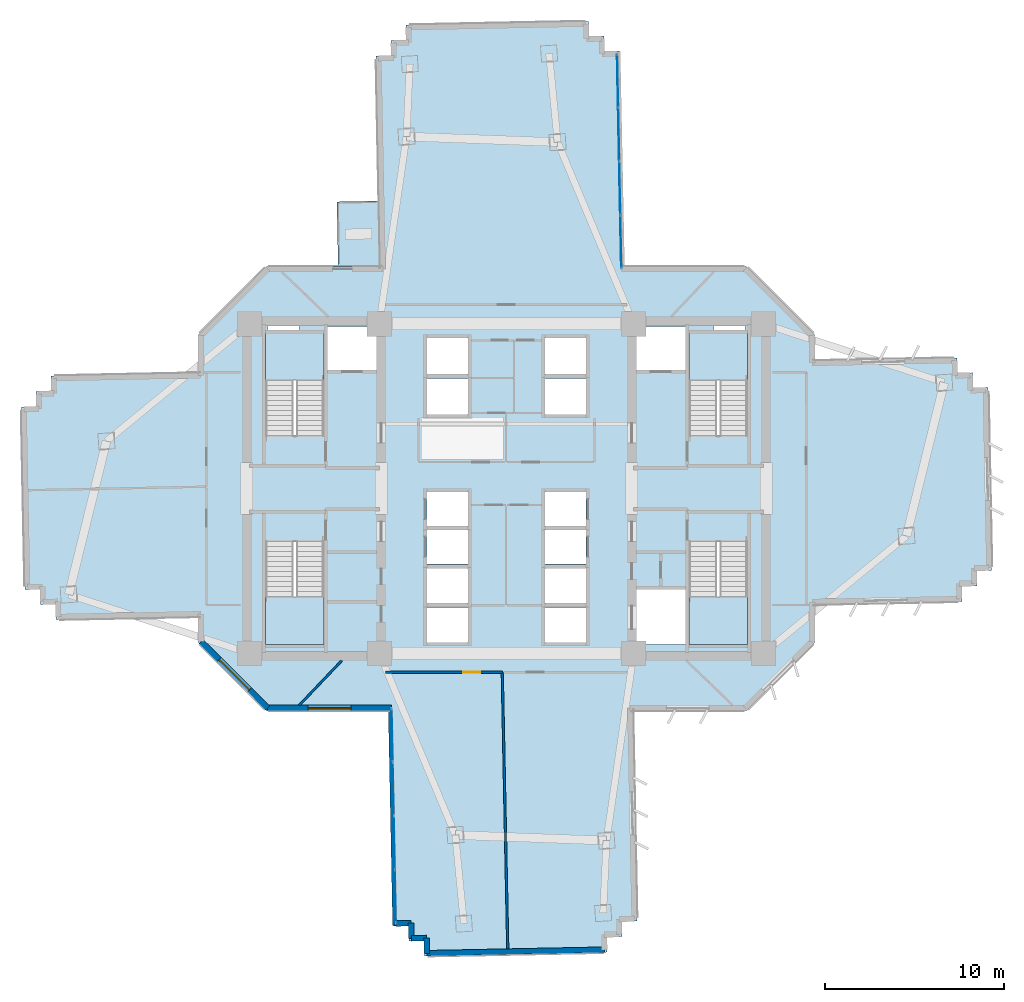
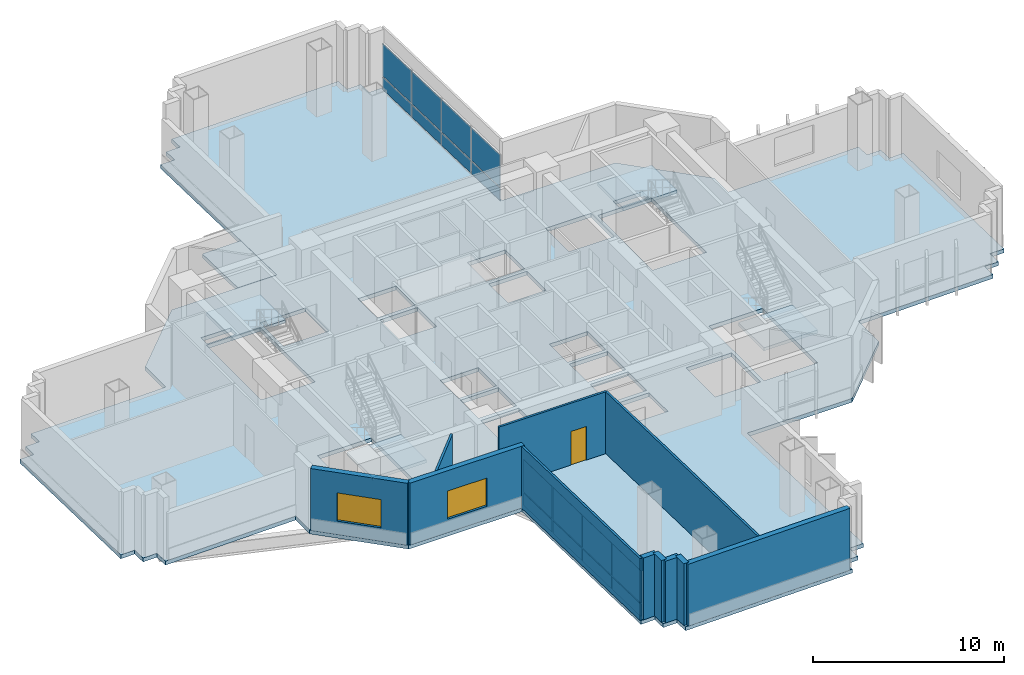
# One storey, part 5 of 15: 16 plates, 11 walls, 6 slabs, 2 windows, 1 door, 3 openings, 6 elements without a shape of their own.
"""IFC4 building model written with IfcOpenShell, lengths in metres."""

from ifc_helpers import new_model, si_unit, direction, frame, frame_2d, origin, origin_2d, place, context, subcontext, project, spatial, polyline, rectangle, outline, extrude, source, transform, mapped, material, layer, layer_set, type_object, element, fill, aggregate, save


model = new_model("IFC4")

# Units and contexts
model_context = context("Model", 3, precision=1e-05, world=origin(), true_north=direction((0.0, 1.0)))
body_context = subcontext(model_context, "Body", "Model", "MODEL_VIEW")
ifc_project = project(units=[si_unit("LENGTHUNIT", "METRE"), si_unit("AREAUNIT", "SQUARE_METRE"), si_unit("VOLUMEUNIT", "CUBIC_METRE"), si_unit("PLANEANGLEUNIT", "RADIAN"), si_unit("MASSUNIT", "GRAM", prefix="KILO")], contexts=[model_context])

# Site, building, storey
site_placement = place(None, origin())
site = spatial("IfcSite", under=ifc_project, at=site_placement, CompositionType="ELEMENT")
building_placement = place(site_placement, origin())
building = spatial("IfcBuilding", under=site, at=building_placement, Name="Zahravan Cultural Tower", CompositionType="ELEMENT")
storey_placement = place(building_placement, frame((0.0, 0.0, 50.10009765625)))
storey = spatial("IfcBuildingStorey", under=building, at=storey_placement, Name="L10", CompositionType="ELEMENT", Elevation=50.10009765625)

# Stair, slab
ifc_material_1 = material(Name="Concrete C45/55", Category="concrete")
stair_type = type_object("IfcStairType", Name="STR-DL-1550-420", PredefinedType="HALF_TURN_STAIR", material=ifc_material_1)
stair_1_placement = place(storey_placement, origin())
stair_1 = element("IfcStair", 1, at=stair_1_placement, inside=storey, type_object=stair_type, Name="L10 West Core North Exit Stair ST-W1", PredefinedType="HALF_TURN_STAIR")
ifc_layer_1 = layer(ifc_material_1, 0.199951171875)
ifc_layer_set_1 = layer_set([ifc_layer_1], Name="Concrete C45/55")
slab_type_1 = type_object("IfcSlabType", Name="SL-STAIR-LND200", PredefinedType="LANDING", material=ifc_layer_set_1)
slab_1_placement = place(storey_placement, frame((0.0, 0.0, 1.89990234375)))
slab_1 = element("IfcSlab", 2, at=slab_1_placement, type_object=slab_type_1, Name="ST-W1 landing 1", PredefinedType="LANDING", context=body_context, shape_type="SweptSolid", body=[
    extrude(outline(polyline([(25.800048828125, 33.030029296875), (25.800048828125, 35.699951171875), (22.550048828125, 35.699951171875), (22.550048828125, 33.030029296875), (25.800048828125, 33.030029296875)])), origin(), (0.0, 0.0, 1.0), 0.199951171875),
])
aggregate(stair_1, [slab_1])

stair_2_placement = place(storey_placement, origin())
stair_2 = element("IfcStair", 3, at=stair_2_placement, inside=storey, type_object=stair_type, Name="L10 West Core South Exit Stair ST-W2", PredefinedType="HALF_TURN_STAIR")
slab_2_placement = place(storey_placement, frame((0.0, 0.0, 1.89990234375)))
slab_2 = element("IfcSlab", 4, at=slab_2_placement, type_object=slab_type_1, Name="ST-W2 landing 1", PredefinedType="LANDING", context=body_context, shape_type="SweptSolid", body=[
    extrude(outline(polyline([(22.550048828125, 20.969970703125), (22.550048828125, 18.300048828125), (25.800048828125, 18.300048828125), (25.800048828125, 20.969970703125), (22.550048828125, 20.969970703125)])), origin(), (0.0, 0.0, 1.0), 0.199951171875),
])
aggregate(stair_2, [slab_2])

stair_3_placement = place(storey_placement, origin())
stair_3 = element("IfcStair", 5, at=stair_3_placement, inside=storey, type_object=stair_type, Name="L10 East Core North Exit Stair ST-E1", PredefinedType="HALF_TURN_STAIR")
slab_3_placement = place(storey_placement, frame((0.0, 0.0, 1.89990234375)))
slab_3 = element("IfcSlab", 6, at=slab_3_placement, type_object=slab_type_1, Name="ST-E1 landing 1", PredefinedType="LANDING", context=body_context, shape_type="SweptSolid", body=[
    extrude(outline(polyline([(49.449951171875, 33.030029296875), (49.449951171875, 35.699951171875), (46.199951171875, 35.699951171875), (46.199951171875, 33.030029296875), (49.449951171875, 33.030029296875)])), origin(), (0.0, 0.0, 1.0), 0.199951171875),
])
aggregate(stair_3, [slab_3])

stair_4_placement = place(storey_placement, origin())
stair_4 = element("IfcStair", 7, at=stair_4_placement, inside=storey, type_object=stair_type, Name="L10 East Core South Exit Stair ST-E2", PredefinedType="HALF_TURN_STAIR")
slab_4_placement = place(storey_placement, frame((0.0, 0.0, 1.89990234375)))
slab_4 = element("IfcSlab", 8, at=slab_4_placement, type_object=slab_type_1, Name="ST-E2 landing 1", PredefinedType="LANDING", context=body_context, shape_type="SweptSolid", body=[
    extrude(outline(polyline([(46.199951171875, 20.969970703125), (46.199951171875, 18.300048828125), (49.449951171875, 18.300048828125), (49.449951171875, 20.969970703125), (46.199951171875, 20.969970703125)])), origin(), (0.0, 0.0, 1.0), 0.199951171875),
])
aggregate(stair_4, [slab_4])

# Slabs
ifc_material_2 = material(Name="Concrete C40/50", Category="concrete")
ifc_layer_2 = layer(ifc_material_2, 0.239990234375)
ifc_layer_set_2 = layer_set([ifc_layer_2], Name="Concrete C40/50")
slab_type_2 = type_object("IfcSlabType", Name="SL-TERR-240", PredefinedType="FLOOR", material=ifc_layer_set_2)
slab_5_placement = place(storey_placement, frame((0.0, 0.0, -0.239990234375)))
element("IfcSlab", 9, at=slab_5_placement, inside=storey, type_object=slab_type_2, Name="L10 Planted Sculpture Terrace NW", PredefinedType="FLOOR", context=body_context, shape_type="SweptSolid", body=[
    extrude(outline(polyline([(26.529541015625, 43.014892578125), (26.601318359375, 39.405029296875), (28.94677734375, 39.405029296875), (28.8740234375, 43.061279296875), (26.529541015625, 43.014892578125)])), origin(), (0.0, 0.0, 1.0), 0.239990234375),
])
ifc_layer_3 = layer(ifc_material_2, 0.25)
ifc_layer_set_3 = layer_set([ifc_layer_3], Name="Concrete C40/50")
slab_type_3 = type_object("IfcSlabType", Name="SL-TYP-250", PredefinedType="FLOOR", material=ifc_layer_set_3)
slab_6_placement = place(storey_placement, frame((0.0, 0.0, -0.25)))
element("IfcSlab", 10, at=slab_6_placement, inside=storey, type_object=slab_type_3, Name="L10 Structural Floor Slab", PredefinedType="FLOOR", context=body_context, shape_type="SweptSolid", body=[
    extrude(outline(polyline([(53.199951171875, 34.1435546875), (53.199951171875, 35.60009765625), (49.39990234375, 39.39990234375), (42.5546875, 39.39990234375), (42.315185546875, 51.430419921875), (41.46533203125, 51.41357421875), (41.448486328125, 52.263427734375), (40.5986328125, 52.24658203125), (40.581787109375, 53.09619140625), (30.3837890625, 52.893310546875), (30.400634765625, 52.043701171875), (29.55078125, 52.026611328125), (29.567626953125, 51.1767578125), (28.718017578125, 51.159912109375), (28.951904296875, 39.39990234375), (22.60009765625, 39.39990234375), (18.800048828125, 35.60009765625), (18.800048828125, 33.458984375), (10.569580078125, 33.29541015625), (10.586669921875, 32.445556640625), (9.73681640625, 32.4287109375), (9.753662109375, 31.57861328125), (8.90380859375, 31.561767578125), (9.106689453125, 21.36376953125), (9.95654296875, 21.380615234375), (9.9736328125, 20.531005859375), (10.823486328125, 20.5478515625), (10.84033203125, 19.697998046875), (18.800048828125, 19.8564453125), (18.800048828125, 18.39990234375), (22.60009765625, 14.60009765625), (29.4453125, 14.60009765625), (29.684814453125, 2.569580078125), (30.53466796875, 2.58642578125), (30.551513671875, 1.736572265625), (31.4013671875, 1.75341796875), (31.418212890625, 0.90380859375), (41.6162109375, 1.106689453125), (41.599365234375, 1.956298828125), (42.44921875, 1.973388671875), (42.432373046875, 2.8232421875), (43.281982421875, 2.840087890625), (43.048095703125, 14.60009765625), (49.39990234375, 14.60009765625), (53.199951171875, 18.39990234375), (53.199951171875, 20.541015625), (61.430419921875, 20.70458984375), (61.413330078125, 21.554443359375), (62.26318359375, 21.5712890625), (62.246337890625, 22.42138671875), (63.09619140625, 22.438232421875), (62.893310546875, 32.63623046875), (62.04345703125, 32.619384765625), (62.0263671875, 33.468994140625), (61.176513671875, 33.4521484375), (61.15966796875, 34.302001953125), (53.199951171875, 34.1435546875)]), holes=[polyline([(22.550048828125, 29.949951171875), (22.550048828125, 35.699951171875), (25.800048828125, 35.699951171875), (25.800048828125, 29.949951171875), (22.550048828125, 29.949951171875)]), polyline([(22.550048828125, 18.300048828125), (22.550048828125, 24.050048828125), (25.800048828125, 24.050048828125), (25.800048828125, 18.300048828125), (22.550048828125, 18.300048828125)]), polyline([(46.199951171875, 29.949951171875), (46.199951171875, 35.699951171875), (49.449951171875, 35.699951171875), (49.449951171875, 29.949951171875), (46.199951171875, 29.949951171875)]), polyline([(46.199951171875, 18.300048828125), (46.199951171875, 24.050048828125), (49.449951171875, 24.050048828125), (49.449951171875, 18.300048828125), (46.199951171875, 18.300048828125)]), polyline([(26.0, 33.60009765625), (26.0, 36.050048828125), (28.75, 36.050048828125), (28.75, 33.60009765625), (26.0, 33.60009765625)]), polyline([(43.25, 33.60009765625), (43.25, 36.050048828125), (46.0, 36.050048828125), (46.0, 33.60009765625), (43.25, 33.60009765625)]), polyline([(43.25, 18.300048828125), (43.25, 21.35009765625), (46.0, 21.35009765625), (46.0, 18.300048828125), (43.25, 18.300048828125)]), polyline([(31.550048828125, 33.39990234375), (31.550048828125, 35.39990234375), (33.85009765625, 35.39990234375), (33.85009765625, 33.39990234375), (31.550048828125, 33.39990234375)]), polyline([(31.550048828125, 31.14990234375), (31.550048828125, 33.14990234375), (33.85009765625, 33.14990234375), (33.85009765625, 31.14990234375), (31.550048828125, 31.14990234375)]), polyline([(38.14990234375, 33.39990234375), (38.14990234375, 35.39990234375), (40.449951171875, 35.39990234375), (40.449951171875, 33.39990234375), (38.14990234375, 33.39990234375)]), polyline([(38.14990234375, 31.14990234375), (38.14990234375, 33.14990234375), (40.449951171875, 33.14990234375), (40.449951171875, 31.14990234375), (38.14990234375, 31.14990234375)]), polyline([(31.550048828125, 20.60009765625), (31.550048828125, 22.550048828125), (33.85009765625, 22.550048828125), (33.85009765625, 20.60009765625), (31.550048828125, 20.60009765625)]), polyline([(31.550048828125, 18.39990234375), (31.550048828125, 20.35009765625), (33.85009765625, 20.35009765625), (33.85009765625, 18.39990234375), (31.550048828125, 18.39990234375)]), polyline([(38.14990234375, 20.60009765625), (38.14990234375, 22.550048828125), (40.449951171875, 22.550048828125), (40.449951171875, 20.60009765625), (38.14990234375, 20.60009765625)]), polyline([(38.14990234375, 18.39990234375), (38.14990234375, 20.35009765625), (40.449951171875, 20.35009765625), (40.449951171875, 18.39990234375), (38.14990234375, 18.39990234375)]), polyline([(31.550048828125, 24.89990234375), (31.550048828125, 26.800048828125), (33.85009765625, 26.800048828125), (33.85009765625, 24.89990234375), (31.550048828125, 24.89990234375)]), polyline([(31.550048828125, 22.800048828125), (31.550048828125, 24.699951171875), (33.85009765625, 24.699951171875), (33.85009765625, 22.800048828125), (31.550048828125, 22.800048828125)]), polyline([(38.14990234375, 24.89990234375), (38.14990234375, 26.800048828125), (40.449951171875, 26.800048828125), (40.449951171875, 24.89990234375), (38.14990234375, 24.89990234375)]), polyline([(38.14990234375, 22.800048828125), (38.14990234375, 24.699951171875), (40.449951171875, 24.699951171875), (40.449951171875, 22.800048828125), (38.14990234375, 22.800048828125)]), polyline([(22.64990234375, 35.800048828125), (22.64990234375, 36.419921875), (24.449951171875, 36.419921875), (24.449951171875, 35.800048828125), (22.64990234375, 35.800048828125)]), polyline([(47.550048828125, 35.800048828125), (47.550048828125, 36.419921875), (49.35009765625, 36.419921875), (49.35009765625, 35.800048828125), (47.550048828125, 35.800048828125)])]), origin(), (0.0, 0.0, 1.0), 0.25),
])

# Curtain wall, plates
ifc_material_3 = material(Name="Anodised bronze-aluminium mullion", Category="aluminium")
ifc_layer_4 = layer(ifc_material_3, 0.179931640625)
ifc_layer_set_4 = layer_set([ifc_layer_4], Name="Anodised bronze-aluminium mullion")
curtain_wall_type_1 = type_object("IfcCurtainWallType", Name="CW-SYS-3", PredefinedType="USERDEFINED", material=ifc_layer_set_4)
curtain_wall_1_placement = place(storey_placement, origin())
curtain_wall_1 = element("IfcCurtainWall", 11, at=curtain_wall_1_placement, inside=storey, type_object=curtain_wall_type_1, Name="L10 Recessed Curtain Wall CW-3.1", ObjectType="RECESSED GLAZING", PredefinedType="USERDEFINED")
ifc_material_4 = material(Name="Low-E solar-control double glazing", Category="glass")
ifc_layer_5 = layer(ifc_material_4, 0.028076171875)
ifc_layer_set_5 = layer_set([ifc_layer_5], Name="Low-E solar-control double glazing")
plate_type_1 = type_object("IfcPlateType", Name="CWP-CW-3", PredefinedType="CURTAIN_PANEL", material=ifc_layer_set_5)
shared_shape_1 = source(origin(), body_context, "Body", "SweptSolid", [
    extrude(rectangle(XDim=2.902587890625, YDim=0.028076171875, at=origin_2d()), origin(), (0.0, 0.0, 1.0), 0.794921875),
])
plate_1_placement = place(storey_placement, frame((29.791748046875, 4.233154296875, 0.06982421875), z_axis=(0.0, 0.0, 1.0), x_axis=(-0.019900113269, 0.999801973139, 0.0)))
plate_1 = element("IfcPlate", 12, at=plate_1_placement, type_object=plate_type_1, Name="CW-3 panel 1.1", PredefinedType="CURTAIN_PANEL", context=body_context, shape_type="MappedRepresentation", body=[
    mapped(shared_shape_1, transform((0.0, 0.0, 0.0), x_axis=(1.0, 0.0, 0.0), y_axis=(0.0, 1.0, 0.0), z_axis=(0.0, 0.0, 1.0), scale=1.0)),
])
plate_2_placement = place(storey_placement, frame((29.61279296875, 13.218994140625, 0.06982421875), z_axis=(0.0, 0.0, 1.0), x_axis=(-0.019900113269, 0.999801973139, 0.0)))
plate_2 = element("IfcPlate", 13, at=plate_2_placement, type_object=plate_type_1, Name="CW-3 panel 4.1", PredefinedType="CURTAIN_PANEL", context=body_context, shape_type="MappedRepresentation", body=[
    mapped(shared_shape_1, transform((0.0, 0.0, 0.0), x_axis=(1.0, 0.0, 0.0), y_axis=(0.0, 1.0, 0.0), z_axis=(0.0, 0.0, 1.0), scale=1.0)),
])
shared_shape_2 = source(origin(), body_context, "Body", "SweptSolid", [
    extrude(rectangle(XDim=2.902587890625, YDim=0.028076171875, at=origin_2d()), origin(), (0.0, 0.0, 1.0), 2.06494140625),
])
plate_3_placement = place(storey_placement, frame((29.791748046875, 4.233154296875, 0.934814453125), z_axis=(0.0, 0.0, 1.0), x_axis=(-0.019900113269, 0.999801973139, 0.0)))
plate_3 = element("IfcPlate", 14, at=plate_3_placement, type_object=plate_type_1, Name="CW-3 panel 1.2", PredefinedType="CURTAIN_PANEL", context=body_context, shape_type="MappedRepresentation", body=[
    mapped(shared_shape_2, transform((0.0, 0.0, 0.0), x_axis=(1.0, 0.0, 0.0), y_axis=(0.0, 1.0, 0.0), z_axis=(0.0, 0.0, 1.0), scale=1.0)),
])
plate_4_placement = place(storey_placement, frame((29.61279296875, 13.218994140625, 0.934814453125), z_axis=(0.0, 0.0, 1.0), x_axis=(-0.019900113269, 0.999801973139, 0.0)))
plate_4 = element("IfcPlate", 15, at=plate_4_placement, type_object=plate_type_1, Name="CW-3 panel 4.2", PredefinedType="CURTAIN_PANEL", context=body_context, shape_type="MappedRepresentation", body=[
    mapped(shared_shape_2, transform((0.0, 0.0, 0.0), x_axis=(1.0, 0.0, 0.0), y_axis=(0.0, 1.0, 0.0), z_axis=(0.0, 0.0, 1.0), scale=1.0)),
])
shared_shape_3 = source(origin(), body_context, "Body", "SweptSolid", [
    extrude(rectangle(XDim=2.9375, YDim=0.028076171875, at=origin_2d()), origin(), (0.0, 0.0, 1.0), 0.794921875),
])
plate_5_placement = place(storey_placement, frame((29.732177734375, 7.22265625, 0.06982421875), z_axis=(0.0, 0.0, 1.0), x_axis=(-0.019900113269, 0.999801973139, 0.0)))
plate_5 = element("IfcPlate", 16, at=plate_5_placement, type_object=plate_type_1, Name="CW-3 panel 2.1", PredefinedType="CURTAIN_PANEL", context=body_context, shape_type="MappedRepresentation", body=[
    mapped(shared_shape_3, transform((0.0, 0.0, 0.0), x_axis=(1.0, 0.0, 0.0), y_axis=(0.0, 1.0, 0.0), z_axis=(0.0, 0.0, 1.0), scale=1.0)),
])
plate_6_placement = place(storey_placement, frame((29.67236328125, 10.2294921875, 0.06982421875), z_axis=(0.0, 0.0, 1.0), x_axis=(-0.019900113269, 0.999801973139, 0.0)))
plate_6 = element("IfcPlate", 17, at=plate_6_placement, type_object=plate_type_1, Name="CW-3 panel 3.1", PredefinedType="CURTAIN_PANEL", context=body_context, shape_type="MappedRepresentation", body=[
    mapped(shared_shape_3, transform((0.0, 0.0, 0.0), x_axis=(1.0, 0.0, 0.0), y_axis=(0.0, 1.0, 0.0), z_axis=(0.0, 0.0, 1.0), scale=1.0)),
])
shared_shape_4 = source(origin(), body_context, "Body", "SweptSolid", [
    extrude(rectangle(XDim=2.9375, YDim=0.028076171875, at=origin_2d()), origin(), (0.0, 0.0, 1.0), 2.06494140625),
])
plate_7_placement = place(storey_placement, frame((29.732177734375, 7.22265625, 0.934814453125), z_axis=(0.0, 0.0, 1.0), x_axis=(-0.019900113269, 0.999801973139, 0.0)))
plate_7 = element("IfcPlate", 18, at=plate_7_placement, type_object=plate_type_1, Name="CW-3 panel 2.2", PredefinedType="CURTAIN_PANEL", context=body_context, shape_type="MappedRepresentation", body=[
    mapped(shared_shape_4, transform((0.0, 0.0, 0.0), x_axis=(1.0, 0.0, 0.0), y_axis=(0.0, 1.0, 0.0), z_axis=(0.0, 0.0, 1.0), scale=1.0)),
])
plate_8_placement = place(storey_placement, frame((29.67236328125, 10.2294921875, 0.934814453125), z_axis=(0.0, 0.0, 1.0), x_axis=(-0.019900113269, 0.999801973139, 0.0)))
plate_8 = element("IfcPlate", 19, at=plate_8_placement, type_object=plate_type_1, Name="CW-3 panel 3.2", PredefinedType="CURTAIN_PANEL", context=body_context, shape_type="MappedRepresentation", body=[
    mapped(shared_shape_4, transform((0.0, 0.0, 0.0), x_axis=(1.0, 0.0, 0.0), y_axis=(0.0, 1.0, 0.0), z_axis=(0.0, 0.0, 1.0), scale=1.0)),
])
aggregate(curtain_wall_1, [plate_1, plate_3, plate_5, plate_7, plate_6, plate_8, plate_2, plate_4])

ifc_layer_6 = layer(ifc_material_3, 0.1650390625)
ifc_layer_set_6 = layer_set([ifc_layer_6], Name="Anodised bronze-aluminium mullion")
curtain_wall_type_2 = type_object("IfcCurtainWallType", Name="CW-SYS-4", PredefinedType="USERDEFINED", material=ifc_layer_set_6)
curtain_wall_2_placement = place(storey_placement, origin())
curtain_wall_2 = element("IfcCurtainWall", 20, at=curtain_wall_2_placement, inside=storey, type_object=curtain_wall_type_2, Name="L10 Recessed Curtain Wall CW-4.2", ObjectType="RECESSED GLAZING", PredefinedType="USERDEFINED")
ifc_layer_7 = layer(ifc_material_4, 0.02587890625)
ifc_layer_set_7 = layer_set([ifc_layer_7], Name="Low-E solar-control double glazing")
plate_type_2 = type_object("IfcPlateType", Name="CWP-CW-4", PredefinedType="CURTAIN_PANEL", material=ifc_layer_set_7)
shared_shape_5 = source(origin(), body_context, "Body", "SweptSolid", [
    extrude(rectangle(XDim=2.909912109375, YDim=0.02587890625, at=origin_2d()), origin(), (0.0, 0.0, 1.0), 0.802490234375),
])
plate_9_placement = place(storey_placement, frame((42.208251953125, 49.76806640625, 0.06494140625), z_axis=(0.0, 0.0, 1.0), x_axis=(0.019900113269, -0.999801973139, 0.0)))
plate_9 = element("IfcPlate", 21, at=plate_9_placement, type_object=plate_type_2, Name="CW-4 panel 1.1", PredefinedType="CURTAIN_PANEL", context=body_context, shape_type="MappedRepresentation", body=[
    mapped(shared_shape_5, transform((0.0, 0.0, 0.0), x_axis=(1.0, 0.0, 0.0), y_axis=(0.0, 1.0, 0.0), z_axis=(0.0, 0.0, 1.0), scale=1.0)),
])
plate_10_placement = place(storey_placement, frame((42.38720703125, 40.77978515625, 0.06494140625), z_axis=(0.0, 0.0, 1.0), x_axis=(0.019900113269, -0.999801973139, 0.0)))
plate_10 = element("IfcPlate", 22, at=plate_10_placement, type_object=plate_type_2, Name="CW-4 panel 4.1", PredefinedType="CURTAIN_PANEL", context=body_context, shape_type="MappedRepresentation", body=[
    mapped(shared_shape_5, transform((0.0, 0.0, 0.0), x_axis=(1.0, 0.0, 0.0), y_axis=(0.0, 1.0, 0.0), z_axis=(0.0, 0.0, 1.0), scale=1.0)),
])
shared_shape_6 = source(origin(), body_context, "Body", "SweptSolid", [
    extrude(rectangle(XDim=2.909912109375, YDim=0.02587890625, at=origin_2d()), origin(), (0.0, 0.0, 1.0), 2.072509765625),
])
plate_11_placement = place(storey_placement, frame((42.208251953125, 49.76806640625, 0.9326171875), z_axis=(0.0, 0.0, 1.0), x_axis=(0.019900113269, -0.999801973139, 0.0)))
plate_11 = element("IfcPlate", 23, at=plate_11_placement, type_object=plate_type_2, Name="CW-4 panel 1.2", PredefinedType="CURTAIN_PANEL", context=body_context, shape_type="MappedRepresentation", body=[
    mapped(shared_shape_6, transform((0.0, 0.0, 0.0), x_axis=(1.0, 0.0, 0.0), y_axis=(0.0, 1.0, 0.0), z_axis=(0.0, 0.0, 1.0), scale=1.0)),
])
plate_12_placement = place(storey_placement, frame((42.38720703125, 40.77978515625, 0.9326171875), z_axis=(0.0, 0.0, 1.0), x_axis=(0.019900113269, -0.999801973139, 0.0)))
plate_12 = element("IfcPlate", 24, at=plate_12_placement, type_object=plate_type_2, Name="CW-4 panel 4.2", PredefinedType="CURTAIN_PANEL", context=body_context, shape_type="MappedRepresentation", body=[
    mapped(shared_shape_6, transform((0.0, 0.0, 0.0), x_axis=(1.0, 0.0, 0.0), y_axis=(0.0, 1.0, 0.0), z_axis=(0.0, 0.0, 1.0), scale=1.0)),
])
shared_shape_7 = source(origin(), body_context, "Body", "SweptSolid", [
    extrude(rectangle(XDim=2.942626953125, YDim=0.02587890625, at=origin_2d()), origin(), (0.0, 0.0, 1.0), 0.802490234375),
])
plate_13_placement = place(storey_placement, frame((42.267822265625, 46.77734375, 0.06494140625), z_axis=(0.0, 0.0, 1.0), x_axis=(0.019900113269, -0.999801973139, 0.0)))
plate_13 = element("IfcPlate", 25, at=plate_13_placement, type_object=plate_type_2, Name="CW-4 panel 2.1", PredefinedType="CURTAIN_PANEL", context=body_context, shape_type="MappedRepresentation", body=[
    mapped(shared_shape_7, transform((0.0, 0.0, 0.0), x_axis=(1.0, 0.0, 0.0), y_axis=(0.0, 1.0, 0.0), z_axis=(0.0, 0.0, 1.0), scale=1.0)),
])
plate_14_placement = place(storey_placement, frame((42.32763671875, 43.7705078125, 0.06494140625), z_axis=(0.0, 0.0, 1.0), x_axis=(0.019900113269, -0.999801973139, 0.0)))
plate_14 = element("IfcPlate", 26, at=plate_14_placement, type_object=plate_type_2, Name="CW-4 panel 3.1", PredefinedType="CURTAIN_PANEL", context=body_context, shape_type="MappedRepresentation", body=[
    mapped(shared_shape_7, transform((0.0, 0.0, 0.0), x_axis=(1.0, 0.0, 0.0), y_axis=(0.0, 1.0, 0.0), z_axis=(0.0, 0.0, 1.0), scale=1.0)),
])
shared_shape_8 = source(origin(), body_context, "Body", "SweptSolid", [
    extrude(rectangle(XDim=2.942626953125, YDim=0.02587890625, at=origin_2d()), origin(), (0.0, 0.0, 1.0), 2.072509765625),
])
plate_15_placement = place(storey_placement, frame((42.267822265625, 46.77734375, 0.9326171875), z_axis=(0.0, 0.0, 1.0), x_axis=(0.019900113269, -0.999801973139, 0.0)))
plate_15 = element("IfcPlate", 27, at=plate_15_placement, type_object=plate_type_2, Name="CW-4 panel 2.2", PredefinedType="CURTAIN_PANEL", context=body_context, shape_type="MappedRepresentation", body=[
    mapped(shared_shape_8, transform((0.0, 0.0, 0.0), x_axis=(1.0, 0.0, 0.0), y_axis=(0.0, 1.0, 0.0), z_axis=(0.0, 0.0, 1.0), scale=1.0)),
])
plate_16_placement = place(storey_placement, frame((42.32763671875, 43.7705078125, 0.9326171875), z_axis=(0.0, 0.0, 1.0), x_axis=(0.019900113269, -0.999801973139, 0.0)))
plate_16 = element("IfcPlate", 28, at=plate_16_placement, type_object=plate_type_2, Name="CW-4 panel 3.2", PredefinedType="CURTAIN_PANEL", context=body_context, shape_type="MappedRepresentation", body=[
    mapped(shared_shape_8, transform((0.0, 0.0, 0.0), x_axis=(1.0, 0.0, 0.0), y_axis=(0.0, 1.0, 0.0), z_axis=(0.0, 0.0, 1.0), scale=1.0)),
])
aggregate(curtain_wall_2, [plate_9, plate_11, plate_13, plate_15, plate_14, plate_16, plate_10, plate_12])

# Wall, opening, window
ifc_material_5 = material(Name="Precast concrete C40/50", Category="concrete")
ifc_layer_8 = layer(ifc_material_5, 0.320068359375)
ifc_layer_set_8 = layer_set([ifc_layer_8], Name="Precast concrete C40/50")
wall_type_1 = type_object("IfcWallType", Name="EW-TC-320", PredefinedType="SOLIDWALL", material=ifc_layer_set_8)
wall_1_placement = place(storey_placement, frame((29.58251953125, 14.739990234375, 0.0), z_axis=(0.0, 0.0, 1.0), x_axis=(-1.0, 0.0, 0.0)))
wall_1 = element("IfcWall", 29, at=wall_1_placement, inside=storey, type_object=wall_type_1, Name="L10 Exterior Masonry Frame Wall 25", PredefinedType="SOLIDWALL", context=body_context, shape_type="SweptSolid", body=[
    extrude(rectangle(XDim=6.924560546875, YDim=0.320068359375, at=frame_2d((3.46240234375, 0.0))), origin(), (0.0, 0.0, 1.0), 3.949951171875),
])
opening_1_placement = place(wall_1_placement, frame((2.261962890625, 0.0, 0.85009765625)))
opening_1 = element("IfcOpeningElement", 30, at=opening_1_placement, cuts=wall_1, Name="Opening WN-01", PredefinedType="OPENING", context=body_context, shape_type="SweptSolid", body=[
    extrude(rectangle(XDim=2.39990234375, YDim=1.800048828125, at=frame_2d((1.199951171875, 0.89990234375))), frame((0.0, 0.169921875, 0.0), z_axis=(0.0, -1.0, 0.0), x_axis=(1.0, 0.0, 0.0)), (0.0, 0.0, 1.0), 0.340087890625),
])
window_type = type_object("IfcWindowType", Name="WN-REC-2400X1800", PartitioningType="DOUBLE_PANEL_VERTICAL", PredefinedType="WINDOW", material=ifc_material_4)
shared_shape_9 = source(origin(), body_context, "Body", "SweptSolid", [
    extrude(rectangle(XDim=2.39990234375, YDim=1.800048828125, at=frame_2d((1.199951171875, 0.89990234375))), frame((0.0, 0.030029296875, 0.0), z_axis=(0.0, -1.0, 0.0), x_axis=(1.0, 0.0, 0.0)), (0.0, 0.0, 1.0), 0.06005859375),
])
window_1_placement = place(opening_1_placement, origin())
window_1 = element("IfcWindow", 31, at=window_1_placement, inside=storey, type_object=window_type, Name="L10 Recessed Solar Window 07", OverallHeight=1.800048828125, OverallWidth=2.39990234375, PartitioningType="DOUBLE_PANEL_VERTICAL", PredefinedType="WINDOW", context=body_context, shape_type="MappedRepresentation", body=[
    mapped(shared_shape_9, transform((0.0, 0.0, 0.0), x_axis=(1.0, 0.0, 0.0), y_axis=(0.0, 1.0, 0.0), z_axis=(0.0, 0.0, 1.0), scale=1.0)),
])
fill(opening_1, window_1)

wall_2_placement = place(storey_placement, frame((22.657958984375, 14.739990234375, 0.0), z_axis=(0.0, 0.0, 1.0), x_axis=(-0.707106781187, 0.707106781187, 0.0)))
wall_2 = element("IfcWall", 32, at=wall_2_placement, inside=storey, type_object=wall_type_1, Name="L10 Exterior Masonry Frame Wall 26", PredefinedType="SOLIDWALL", context=body_context, shape_type="SweptSolid", body=[
    extrude(rectangle(XDim=5.258056640625, YDim=0.320068359375, at=frame_2d((2.62890625, 0.0))), origin(), (0.0, 0.0, 1.0), 3.949951171875),
])
opening_2_placement = place(wall_2_placement, frame((1.428955078125, 0.0, 0.85009765625)))
opening_2 = element("IfcOpeningElement", 33, at=opening_2_placement, cuts=wall_2, Name="Opening WN-01", PredefinedType="OPENING", context=body_context, shape_type="SweptSolid", body=[
    extrude(rectangle(XDim=2.39990234375, YDim=1.800048828125, at=frame_2d((1.199951171875, 0.89990234375))), frame((0.0, 0.169921875, 0.0), z_axis=(0.0, -1.0, 0.0), x_axis=(1.0, 0.0, 0.0)), (0.0, 0.0, 1.0), 0.340087890625),
])
window_2_placement = place(opening_2_placement, origin())
window_2 = element("IfcWindow", 34, at=window_2_placement, inside=storey, type_object=window_type, Name="L10 Recessed Solar Window 08", OverallHeight=1.800048828125, OverallWidth=2.39990234375, PartitioningType="DOUBLE_PANEL_VERTICAL", PredefinedType="WINDOW", context=body_context, shape_type="MappedRepresentation", body=[
    mapped(shared_shape_9, transform((0.0, 0.0, 0.0), x_axis=(1.0, 0.0, 0.0), y_axis=(0.0, 1.0, 0.0), z_axis=(0.0, 0.0, 1.0), scale=1.0)),
])
fill(opening_2, window_2)

# Wall, opening, door
ifc_material_6 = material(Name="Gypsum plasterboard partition")
ifc_layer_9 = layer(ifc_material_6, 0.125)
ifc_layer_set_9 = layer_set([ifc_layer_9], Name="Gypsum plasterboard partition")
wall_type_2 = type_object("IfcWallType", Name="W-PART-125", PredefinedType="PARTITIONING", material=ifc_layer_set_9)
wall_3_placement = place(storey_placement, frame((29.257568359375, 16.740234375, 0.0), z_axis=(0.0, 0.0, 1.0), x_axis=(0.999999999296, -3.7522044e-05, 0.0)))
wall_3 = element("IfcWall", 35, at=wall_3_placement, inside=storey, type_object=wall_type_2, Name="L10 Interior Wall 093", PredefinedType="PARTITIONING", context=body_context, shape_type="SweptSolid", body=[
    extrude(rectangle(XDim=6.506591796875, YDim=0.125, at=frame_2d((3.25341796875, 0.0))), origin(), (0.0, 0.0, 1.0), 3.949951171875),
])
opening_3_placement = place(wall_3_placement, frame((4.333984375, 0.0, 0.0)))
opening_3 = element("IfcOpeningElement", 36, at=opening_3_placement, cuts=wall_3, Name="Opening D-L10-23", PredefinedType="OPENING", context=body_context, shape_type="SweptSolid", body=[
    extrude(rectangle(XDim=0.949951171875, YDim=2.14990234375, at=frame_2d((0.47509765625, 1.074951171875))), frame((0.0, 0.072509765625, 0.0), z_axis=(0.0, -1.0, 0.0), x_axis=(1.0, 0.0, 0.0)), (0.0, 0.0, 1.0), 0.14501953125),
])
door_type = type_object("IfcDoorType", Name="DR-ROOM-950", OperationType="NOTDEFINED", PredefinedType="DOOR", material=ifc_material_3)
shared_shape_10 = source(origin(), body_context, "Body", "SweptSolid", [
    extrude(rectangle(XDim=0.949951171875, YDim=2.14990234375, at=frame_2d((0.47509765625, 1.074951171875))), frame((0.0, 0.02490234375, 0.0), z_axis=(0.0, -1.0, 0.0), x_axis=(1.0, 0.0, 0.0)), (0.0, 0.0, 1.0), 0.050048828125),
])
door_placement = place(opening_3_placement, origin())
door = element("IfcDoor", 37, at=door_placement, inside=storey, type_object=door_type, Name="L10 Door D-L10-23", OperationType="SINGLE_SWING_RIGHT", OverallHeight=2.14990234375, OverallWidth=0.949951171875, PredefinedType="DOOR", context=body_context, shape_type="MappedRepresentation", body=[
    mapped(shared_shape_10, transform((0.0, 0.0, 0.0), x_axis=(1.0, 0.0, 0.0), y_axis=(0.0, 1.0, 0.0), z_axis=(0.0, 0.0, 1.0), scale=1.0)),
])
fill(opening_3, door)

# Walls
shared_shape_11 = source(origin(), body_context, "Body", "SweptSolid", [
    extrude(rectangle(XDim=0.85009765625, YDim=0.320068359375, at=frame_2d((0.425048828125, 0.0))), origin(), (0.0, 0.0, 1.0), 3.949951171875),
])
for number, where, z_axis, x_axis, name in (
    (38, (31.555419921875, 1.04638671875, 0.0), (0.0, 0.0, 1.0), (-0.019817997326, 0.999803604205, 0.0), "L10 Exterior Masonry Frame Wall 21"),
    (39, (31.53857421875, 1.896240234375, 0.0), (0.0, 0.0, 1.0), (-0.999803604205, -0.019817997326, 0.0), "L10 Exterior Masonry Frame Wall 22"),
    (40, (30.688720703125, 1.87939453125, 0.0), (0.0, 0.0, 1.0), (-0.019817997326, 0.999803604205, 0.0), "L10 Exterior Masonry Frame Wall 23"),
    (41, (30.671875, 2.729248046875, 0.0), (0.0, 0.0, 1.0), (-0.999803604205, -0.019817997326, 0.0), "L10 Exterior Masonry Frame Wall 24"),
):
    element("IfcWall", number, at=place(storey_placement, frame(where, z_axis=z_axis, x_axis=x_axis)), inside=storey, type_object=wall_type_1, Name=name, PredefinedType="SOLIDWALL", context=body_context, shape_type="MappedRepresentation", body=[
        mapped(shared_shape_11, transform((0.0, 0.0, 0.0), x_axis=(1.0, 0.0, 0.0), y_axis=(0.0, 1.0, 0.0), z_axis=(0.0, 0.0, 1.0), scale=1.0)),
    ])
shared_shape_12 = source(origin(), body_context, "Body", "SweptSolid", [
    extrude(rectangle(XDim=9.919921875, YDim=0.320068359375, at=frame_2d((4.9599609375, 0.0))), origin(), (0.0, 0.0, 1.0), 3.949951171875),
])
wall_4_placement = place(storey_placement, frame((41.473388671875, 1.243896484375, 0.0), z_axis=(0.0, 0.0, 1.0), x_axis=(-0.999801768563, -0.019910388705, 0.0)))
element("IfcWall", 42, at=wall_4_placement, inside=storey, type_object=wall_type_1, Name="L10 Exterior Masonry Frame Wall 20", PredefinedType="SOLIDWALL", context=body_context, shape_type="MappedRepresentation", body=[
    mapped(shared_shape_12, transform((0.0, 0.0, 0.0), x_axis=(1.0, 0.0, 0.0), y_axis=(0.0, 1.0, 0.0), z_axis=(0.0, 0.0, 1.0), scale=1.0)),
])
shared_shape_13 = source(origin(), body_context, "Body", "SweptSolid", [
    extrude(rectangle(XDim=3.437744140625, YDim=0.125, at=frame_2d((1.71875, 0.0))), origin(), (0.0, 0.0, 1.0), 3.949951171875),
])
wall_5_placement = place(storey_placement, frame((26.80322265625, 17.39501953125, 0.0), z_axis=(0.0, 0.0, 1.0), x_axis=(-0.689493786127, -0.724291597972, 0.0)))
element("IfcWall", 43, at=wall_5_placement, inside=storey, type_object=wall_type_2, Name="L10 Interior Wall 092", PredefinedType="PARTITIONING", context=body_context, shape_type="MappedRepresentation", body=[
    mapped(shared_shape_13, transform((0.0, 0.0, 0.0), x_axis=(1.0, 0.0, 0.0), y_axis=(0.0, 1.0, 0.0), z_axis=(0.0, 0.0, 1.0), scale=1.0)),
])
shared_shape_14 = source(origin(), body_context, "Body", "SweptSolid", [
    extrude(rectangle(XDim=15.441650390625, YDim=0.125, at=frame_2d((7.720703125, 0.0))), origin(), (0.0, 0.0, 1.0), 3.949951171875),
])
wall_6_placement = place(storey_placement, frame((35.76416015625, 16.739990234375, 0.0), z_axis=(0.0, 0.0, 1.0), x_axis=(0.01988979601, -0.999802178441, 0.0)))
element("IfcWall", 44, at=wall_6_placement, inside=storey, type_object=wall_type_2, Name="L10 Interior Wall 094", PredefinedType="PARTITIONING", context=body_context, shape_type="MappedRepresentation", body=[
    mapped(shared_shape_14, transform((0.0, 0.0, 0.0), x_axis=(1.0, 0.0, 0.0), y_axis=(0.0, 1.0, 0.0), z_axis=(0.0, 0.0, 1.0), scale=1.0)),
])
shared_shape_15 = source(origin(), body_context, "Body", "SweptSolid", [
    extrude(rectangle(XDim=11.987548828125, YDim=0.125, at=frame_2d((5.99365234375, 0.0))), origin(), (0.0, 0.0, 1.0), 3.949951171875),
])
wall_7_placement = place(storey_placement, frame((29.704345703125, 2.58984375, 0.0), z_axis=(0.0, 0.0, 1.0), x_axis=(-0.020060739884, 0.99979876311, 0.0)))
element("IfcWall", 45, at=wall_7_placement, inside=storey, type_object=wall_type_2, Name="L10 Interior Wall 095", PredefinedType="PARTITIONING", context=body_context, shape_type="MappedRepresentation", body=[
    mapped(shared_shape_15, transform((0.0, 0.0, 0.0), x_axis=(1.0, 0.0, 0.0), y_axis=(0.0, 1.0, 0.0), z_axis=(0.0, 0.0, 1.0), scale=1.0)),
])

save(model, "model.ifc")
